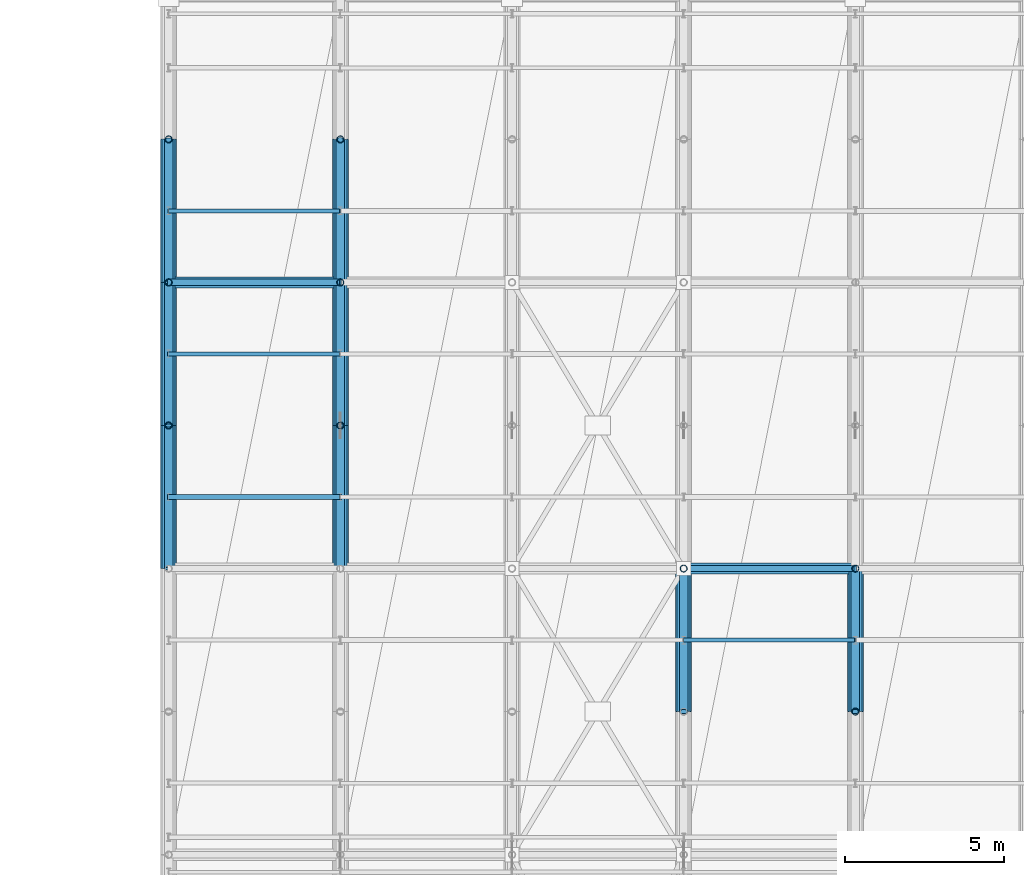
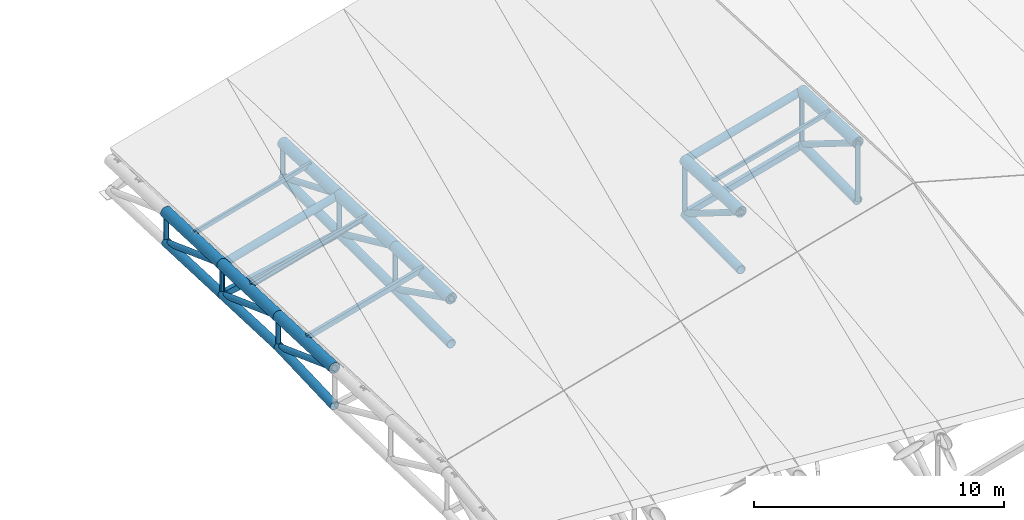
# One storey, part 14 of 109: 25 members, 16 beams.
"""IFC4 building model written with IfcOpenShell, lengths in metres."""

import ifcopenshell
import ifcopenshell.guid

model = None  # the IFC model being written
_history = None  # IfcOwnerHistory: only IFC2X3 demands one
_inside = {}  # id of a spatial element -> (the spatial element, [elements in it])
_under = {}  # id of a project, library or spatial element -> (it, [spatial elements below it])
_declared = {}  # id of a project -> (the project, [libraries it declares])
_typed = {}  # id of a type object -> (the type object, [elements of that type])
_made_of = {}  # id of a material, layer set ... -> (it, [elements and type objects made of it])


def new_model(schema):
    """Start an empty IFC model of exactly this schema.

    Asked for "IFC4X3", IfcOpenShell would pick the latest addendum, in which some entities
    have other attributes; the version numbers below select the first issue.
    IFC2X3 requires an IfcOwnerHistory on every rooted entity: one is made here for all.
    """
    global model, _history
    if schema == "IFC4X3":
        model = ifcopenshell.file(schema_version=(4, 3, 0, 0))
    else:
        model = ifcopenshell.file(schema=schema)
    _inside.clear()
    _under.clear()
    _declared.clear()
    _typed.clear()
    _made_of.clear()
    _history = None
    if model.schema == "IFC2X3":
        org = make("IfcOrganization", Name="unknown")
        user = make(
            "IfcPersonAndOrganization",
            ThePerson=make("IfcPerson", FamilyName="unknown"),
            TheOrganization=org,
        )
        app = make(
            "IfcApplication",
            ApplicationDeveloper=org,
            Version="unknown",
            ApplicationFullName="unknown",
            ApplicationIdentifier="unknown",
        )
        _history = make(
            "IfcOwnerHistory",
            OwningUser=user,
            OwningApplication=app,
            ChangeAction="ADDED",
            CreationDate=0,
        )
    return model


def make(cls, **values):
    """One entity of the class cls with the attributes given. An attribute that is None is left unset."""
    return model.create_entity(
        cls, **{name: value for name, value in values.items() if value is not None}
    )


def rooted(cls, **values):
    """An entity with a GlobalId (a new one), such as an element, a storey or a relation."""
    return make(cls, GlobalId=ifcopenshell.guid.new(), OwnerHistory=_history, **values)


def si_unit(unit_type, name, prefix=None):
    """IfcSIUnit, for example si_unit("LENGTHUNIT", "METRE", prefix="MILLI")."""
    return make("IfcSIUnit", UnitType=unit_type, Prefix=prefix, Name=name)


def assignment(units):
    """IfcUnitAssignment: the units of a project."""
    return None if units is None else make("IfcUnitAssignment", Units=units)


def point(xyz):
    """IfcCartesianPoint."""
    return None if xyz is None else make("IfcCartesianPoint", Coordinates=xyz)


def direction(xyz):
    """IfcDirection."""
    return None if xyz is None else make("IfcDirection", DirectionRatios=xyz)


def frame(location, z_axis=None, x_axis=None):
    """IfcAxis2Placement3D, a coordinate frame: its origin and axes. An axis left out is left unset."""
    return make(
        "IfcAxis2Placement3D",
        Location=point(location),
        Axis=direction(z_axis),
        RefDirection=direction(x_axis),
    )


def frame_2d(location, x_axis=None):
    """IfcAxis2Placement2D, a coordinate frame in the plane: its origin and x axis."""
    return make(
        "IfcAxis2Placement2D", Location=point(location), RefDirection=direction(x_axis)
    )


def origin():
    """The frame at (0, 0, 0) with its axes left unset."""
    return frame((0.0, 0.0, 0.0))


def origin_2d():
    """The frame at (0, 0) in the plane with its x axis left unset."""
    return frame_2d((0.0, 0.0))


def place(relative_to, where):
    """IfcLocalPlacement: puts the frame where relative to a parent placement (None: the world)."""
    return make(
        "IfcLocalPlacement", PlacementRelTo=relative_to, RelativePlacement=where
    )


def context(
    kind, dimensions, precision=None, world=None, true_north=None, identifier=None
):
    """IfcGeometricRepresentationContext, for example the 3D "Model" context."""
    return make(
        "IfcGeometricRepresentationContext",
        ContextIdentifier=identifier,
        ContextType=kind,
        CoordinateSpaceDimension=dimensions,
        Precision=precision,
        WorldCoordinateSystem=world,
        TrueNorth=true_north,
    )


def subcontext(parent, identifier, kind, view, scale=None):
    """IfcGeometricRepresentationSubContext, for example "Body" below "Model"."""
    return make(
        "IfcGeometricRepresentationSubContext",
        ContextIdentifier=identifier,
        ContextType=kind,
        ParentContext=parent,
        TargetScale=scale,
        TargetView=view,
    )


def project(units=None, contexts=None):
    """IfcProject with its units and contexts."""
    return rooted(
        "IfcProject",
        Name="project",
        RepresentationContexts=contexts,
        UnitsInContext=assignment(units),
    )


def spatial(cls, under=None, at=None, **own):
    """A site, building, storey or space (cls), placed at a placement, below another one or the project."""
    s = rooted(cls, ObjectPlacement=at, **own)
    if under is not None:
        _under.setdefault(under.id(), (under, []))[1].append(s)
    return s


def profile(cls, at=None, kind="AREA", **sizes):
    """A parametric profile (cls). Its sizes go by their IFC names, for example OverallWidth=200.0."""
    return make(cls, ProfileType=kind, Position=at, **sizes)


def hollow_rectangle(**sizes):
    """IfcRectangleHollowProfileDef."""
    return profile("IfcRectangleHollowProfileDef", **sizes)


def hollow_circle(**sizes):
    """IfcCircleHollowProfileDef."""
    return profile("IfcCircleHollowProfileDef", **sizes)


def i_section(**sizes):
    """IfcIShapeProfileDef."""
    return profile("IfcIShapeProfileDef", **sizes)


def extrude(swept, where, along, depth):
    """IfcExtrudedAreaSolid: the profile swept, set in the frame where, extruded along a direction by depth."""
    return make(
        "IfcExtrudedAreaSolid",
        SweptArea=swept,
        Position=where,
        ExtrudedDirection=direction(along),
        Depth=depth,
    )


def shape(context_of_items, identifier, shape_type, items):
    """IfcShapeRepresentation: the items that make up one representation, for example the "Body"."""
    return make(
        "IfcShapeRepresentation",
        ContextOfItems=context_of_items,
        RepresentationIdentifier=identifier,
        RepresentationType=shape_type,
        Items=items,
    )


def material(Name=None, Category=None):
    """IfcMaterial."""
    return make("IfcMaterial", Name=Name, Category=Category)


def material_profile(
    of_material, cross_section, Name=None, Category=None, Priority=None
):
    """IfcMaterialProfile: a cross section and its material."""
    return make(
        "IfcMaterialProfile",
        Name=Name,
        Material=of_material,
        Profile=cross_section,
        Priority=Priority,
        Category=Category,
    )


def profile_set(profiles, Name=None, composite=None):
    """IfcMaterialProfileSet."""
    return make(
        "IfcMaterialProfileSet",
        Name=Name,
        MaterialProfiles=profiles,
        CompositeProfile=composite,
    )


def made_of(thing, what):
    """Note that an element or type object is made of a material, layer set ...; save() writes the relation."""
    if what is not None:
        _made_of.setdefault(what.id(), (what, []))[1].append(thing)
    return thing


def type_object(cls, material=None, **own):
    """A type object (cls), such as IfcWallType, which elements share."""
    return made_of(rooted(cls, **own), material)


def element(
    cls,
    number,
    at=None,
    inside=None,
    cuts=None,
    type_object=None,
    material=None,
    context=None,
    identifier="Body",
    shape_type=None,
    held_by="IfcProductDefinitionShape",
    body=None,
    shapes=None,
    **own,
):
    """One element of the class cls, such as IfcWall. Its Tag is "e" and its number.

    at: its placement. inside: the storey or other place that contains it. cuts: it is an
    opening in that element (IfcRelVoidsElement). A single representation is given by context,
    identifier, shape_type and body (its items); several are given by shapes. held_by: the class
    of the entity that holds the representations. save() writes the other relations.
    """
    e = rooted(cls, Tag="e%d" % number, ObjectPlacement=at, **own)
    if body is not None:
        shapes = [shape(context, identifier, shape_type, body)]
    if shapes is not None:
        e.Representation = make(held_by, Representations=shapes)
    if inside is not None:
        _inside.setdefault(inside.id(), (inside, []))[1].append(e)
    if cuts is not None:
        rooted(
            "IfcRelVoidsElement", RelatingBuildingElement=cuts, RelatedOpeningElement=e
        )
    if type_object is not None:
        _typed.setdefault(type_object.id(), (type_object, []))[1].append(e)
    return made_of(e, material)


def aggregate(whole, parts):
    """IfcRelAggregates: a whole, such as a stair, and the parts it consists of."""
    return rooted("IfcRelAggregates", RelatingObject=whole, RelatedObjects=parts)


def save(model, path):
    """Write the relations noted so far, then the file.

    IfcRelAggregates (storeys below a building ...), IfcRelContainedInSpatialStructure (elements
    in a storey), IfcRelDefinesByType, IfcRelAssociatesMaterial and IfcRelDeclares: one each for
    every whole, place, type object, material and project.
    """
    for whole, parts in _under.values():
        aggregate(whole, parts)
    for where, things in _inside.values():
        rooted(
            "IfcRelContainedInSpatialStructure",
            RelatedElements=things,
            RelatingStructure=where,
        )
    for kind, things in _typed.values():
        rooted("IfcRelDefinesByType", RelatedObjects=things, RelatingType=kind)
    for what, things in _made_of.values():
        rooted("IfcRelAssociatesMaterial", RelatedObjects=things, RelatingMaterial=what)
    for by, libraries in _declared.values():
        rooted("IfcRelDeclares", RelatingContext=by, RelatedDefinitions=libraries)
    model.write(path)


model = new_model("IFC4")

# Units and contexts
model_context = context("Model", 3, precision=1e-05, world=origin(), true_north=direction((0.0, 1.0)))
body_context = subcontext(model_context, "Body", "Model", "MODEL_VIEW")
ifc_project = project(units=[si_unit("LENGTHUNIT", "METRE"), si_unit("AREAUNIT", "SQUARE_METRE"), si_unit("VOLUMEUNIT", "CUBIC_METRE"), si_unit("PLANEANGLEUNIT", "RADIAN"), si_unit("MASSUNIT", "GRAM", prefix="KILO")], contexts=[model_context])

# Site, building, storey
site_placement = place(None, origin())
site = spatial("IfcSite", under=ifc_project, at=site_placement, CompositionType="ELEMENT")
building_placement = place(site_placement, origin())
building = spatial("IfcBuilding", under=site, at=building_placement, Name="Suirenkawa Promenade Aquatics Centre", CompositionType="ELEMENT")
storey_placement = place(building_placement, frame((0.0, 0.0, 22.800048828125)))
storey = spatial("IfcBuildingStorey", under=building, at=storey_placement, Name="ROOF", CompositionType="ELEMENT", Elevation=22.800048828125)

# Beams
ifc_material = material(Name="Steel IS 2062 E350 (Grade 350)", Category="steel")
ifc_material_profile_1 = material_profile(ifc_material, hollow_circle(Radius=0.202880859375, WallThickness=0.01806640625, at=origin_2d()), Name="CHS 406x18", Category="steel")
ifc_profile_set_1 = profile_set([ifc_material_profile_1], Name="Steel IS 2062 E350 (Grade 350)")
beam_type_1 = type_object("IfcBeamType", Name="BT-BC-CHS406", PredefinedType="BEAM", material=ifc_profile_set_1)
for number, where, z_axis, x_axis, name in (
    (1, (46.800048828125, 104.39990234375, -11.4111328125), (0.0, 0.999190707649, 0.040223497454), (-1.0, 0.0, 0.0), "ROOF TRUSS V1 bottom chord BC-01 BM-1828"),
    (2, (46.800048828125, 108.89990234375, -11.22998046875), (0.0, 0.999173184279, -0.040656460949), (-1.0, 0.0, 0.0), "ROOF TRUSS V1 bottom chord BC-01 BM-1830"),
    (3, (46.800048828125, 113.39990234375, -11.4130859375), (0.0, 0.999164352475, -0.040872934124), (-1.0, 0.0, 0.0), "ROOF TRUSS V1 bottom chord BC-01 BM-1832"),
):
    element("IfcBeam", number, at=place(storey_placement, frame(where, z_axis=z_axis, x_axis=x_axis)), inside=storey, type_object=beam_type_1, Name=name, PredefinedType="BEAM", context=body_context, shape_type="SweptSolid", body=[
        extrude(hollow_circle(Radius=0.202880859375, WallThickness=0.01806640625, at=origin_2d()), origin(), (0.0, 0.0, 1.0), 4.503662109375),
    ])
for number, where, z_axis, x_axis, name in (
    (4, (52.199951171875, 104.39990234375, -10.281982421875), (0.0, 0.999983150708, -0.005805023716), (-1.0, 0.0, 0.0), "ROOF TRUSS V1 bottom chord BC-01 BM-1856"),
    (5, (52.199951171875, 108.89990234375, -10.30810546875), (0.0, 0.999999788072, -0.000651041529), (-1.0, 0.0, 0.0), "ROOF TRUSS V1 bottom chord BC-01 BM-1858"),
    (6, (52.199951171875, 113.39990234375, -10.31103515625), (0.0, 0.999997019781, 0.002441398974), (-1.0, 0.0, 0.0), "ROOF TRUSS V1 bottom chord BC-01 BM-1860"),
    (7, (63.0, 99.89990234375, -7.7099609375), (0.0, 0.999992993217, 0.003743463354), (-1.0, 0.0, 0.0), "ROOF TRUSS V1 bottom chord BC-01 BM-1910"),
    (8, (68.39990234375, 99.89990234375, -6.2099609375), (0.0, 0.999992993217, 0.003743463354), (-1.0, 0.0, 0.0), "ROOF TRUSS V1 bottom chord BC-01 BM-1938"),
):
    element("IfcBeam", number, at=place(storey_placement, frame(where, z_axis=z_axis, x_axis=x_axis)), inside=storey, type_object=beam_type_1, Name=name, PredefinedType="BEAM", context=body_context, shape_type="SweptSolid", body=[
        extrude(hollow_circle(Radius=0.202880859375, WallThickness=0.01806640625, at=origin_2d()), origin(), (0.0, 0.0, 1.0), 4.5),
    ])
ifc_material_profile_2 = material_profile(ifc_material, hollow_circle(Radius=0.25390625, WallThickness=0.02392578125, at=origin_2d()), Name="CHS 508x24", Category="steel")
ifc_profile_set_2 = profile_set([ifc_material_profile_2], Name="Steel IS 2062 E350 (Grade 350)")
beam_type_2 = type_object("IfcBeamType", Name="BT-TC-CHS508", PredefinedType="BEAM", material=ifc_profile_set_2)
for number, where, z_axis, x_axis, name in (
    (9, (46.800048828125, 104.39990234375, -9.567138671875), (0.0, 0.999175384927, -0.040602341759), (-1.0, 0.0, 0.0), "ROOF TRUSS V1 top chord TC-02 BM-1827"),
    (10, (46.800048828125, 108.89990234375, -9.75), (0.0, 0.999173184279, -0.040656460949), (-1.0, 0.0, 0.0), "ROOF TRUSS V1 top chord TC-02 BM-1829"),
    (11, (46.800048828125, 113.39990234375, -9.93310546875), (0.0, 0.999166564808, -0.040818816368), (-1.0, 0.0, 0.0), "ROOF TRUSS V1 top chord TC-02 BM-1831"),
    (12, (52.199951171875, 104.39990234375, -8.067138671875), (0.0, 0.999175384927, -0.040602341759), (-1.0, 0.0, 0.0), "ROOF TRUSS V1 top chord TC-02 BM-1855"),
    (13, (52.199951171875, 108.89990234375, -8.25), (0.0, 0.999173184279, -0.040656460949), (-1.0, 0.0, 0.0), "ROOF TRUSS V1 top chord TC-02 BM-1857"),
    (14, (52.199951171875, 113.39990234375, -8.43310546875), (0.0, 0.999166564808, -0.040818816368), (-1.0, 0.0, 0.0), "ROOF TRUSS V1 top chord TC-02 BM-1859"),
    (15, (63.0, 99.89990234375, -4.883056640625), (0.0, 0.999164352475, -0.040872934124), (-1.0, 0.0, 0.0), "ROOF TRUSS V1 top chord TC-02 BM-1909"),
    (16, (68.39990234375, 99.89990234375, -3.383056640625), (0.0, 0.999164352475, -0.040872934124), (-1.0, 0.0, 0.0), "ROOF TRUSS V1 top chord TC-02 BM-1937"),
):
    element("IfcBeam", number, at=place(storey_placement, frame(where, z_axis=z_axis, x_axis=x_axis)), inside=storey, type_object=beam_type_2, Name=name, PredefinedType="BEAM", context=body_context, shape_type="SweptSolid", body=[
        extrude(hollow_circle(Radius=0.25390625, WallThickness=0.02392578125, at=origin_2d()), origin(), (0.0, 0.0, 1.0), 4.503662109375),
    ])

# Members
ifc_material_profile_3 = material_profile(ifc_material, hollow_circle(Radius=0.177978515625, WallThickness=0.01611328125, at=origin_2d()), Name="CHS 356x16", Category="steel")
ifc_profile_set_3 = profile_set([ifc_material_profile_3], Name="Steel IS 2062 E350 (Grade 350)")
member_type_1 = type_object("IfcMemberType", Name="MT-CHORD-CHS356", PredefinedType="CHORD", material=ifc_profile_set_3)
for number, where, z_axis, x_axis, name in (
    (17, (63.0, 104.39990234375, -5.067138671875), (0.963516661409, 0.0, 0.267648357342), (0.0, 1.0, 0.0), "ROOF TRUSS V1 tie chord CH-02 MB-0854"),
    (18, (46.800048828125, 113.39990234375, -9.93310546875), (0.963516661409, 0.0, 0.267648357342), (0.0, 1.0, 0.0), "ROOF TRUSS V1 tie chord CH-02 MB-0888"),
):
    element("IfcMember", number, at=place(storey_placement, frame(where, z_axis=z_axis, x_axis=x_axis)), inside=storey, type_object=member_type_1, Name=name, PredefinedType="CHORD", context=body_context, shape_type="SweptSolid", body=[
        extrude(hollow_circle(Radius=0.177978515625, WallThickness=0.01611328125, at=origin_2d()), origin(), (0.0, 0.0, 1.0), 5.604248046875),
    ])
ifc_material_profile_4 = material_profile(ifc_material, hollow_rectangle(XDim=0.199951171875, YDim=0.300048828125, WallThickness=0.011962890625, at=origin_2d()), Name="RHS 300x200x12", Category="steel")
ifc_profile_set_4 = profile_set([ifc_material_profile_4], Name="Steel IS 2062 E350 (Grade 350)")
member_type_2 = type_object("IfcMemberType", Name="MT-CHORD-RHS300", PredefinedType="CHORD", material=ifc_profile_set_4)
member_1_placement = place(storey_placement, frame((63.0, 104.39990234375, -7.693115234375), z_axis=(0.963516661409, 0.0, 0.267648357342), x_axis=(0.0, 1.0, 0.0)))
element("IfcMember", 19, at=member_1_placement, inside=storey, type_object=member_type_2, Name="ROOF TRUSS V1 bottom tie CH-03 MB-0855", PredefinedType="CHORD", context=body_context, shape_type="SweptSolid", body=[
    extrude(hollow_rectangle(XDim=0.199951171875, YDim=0.300048828125, WallThickness=0.011962890625, at=origin_2d()), origin(), (0.0, 0.0, 1.0), 5.604248046875),
])
member_2_placement = place(storey_placement, frame((46.800048828125, 113.39990234375, -11.4130859375), z_axis=(0.979802996018, 0.0, 0.19996521946), x_axis=(0.0, 1.0, 0.0)))
element("IfcMember", 20, at=member_2_placement, inside=storey, type_object=member_type_2, Name="ROOF TRUSS V1 bottom tie CH-03 MB-0889", PredefinedType="CHORD", context=body_context, shape_type="SweptSolid", body=[
    extrude(hollow_rectangle(XDim=0.199951171875, YDim=0.300048828125, WallThickness=0.011962890625, at=origin_2d()), origin(), (0.0, 0.0, 1.0), 5.51123046875),
])
ifc_material_profile_5 = material_profile(ifc_material, i_section(OverallWidth=0.125, OverallDepth=0.25, WebThickness=0.007080078125, FlangeThickness=0.012939453125, at=origin_2d()), Name="ISMB 250", Category="steel")
ifc_profile_set_5 = profile_set([ifc_material_profile_5], Name="Steel IS 2062 E350 (Grade 350)")
member_type_3 = type_object("IfcMemberType", Name="MT-PURLIN-ISMB250", PredefinedType="PURLIN", material=ifc_profile_set_5)
member_3_placement = place(storey_placement, frame((46.800048828125, 111.14990234375, -9.613037109375), z_axis=(0.963516661409, 0.0, 0.267648357342), x_axis=(0.0, 1.0, 0.0)))
element("IfcMember", 21, at=member_3_placement, inside=storey, type_object=member_type_3, Name="ROOF TRUSS Roof purlin PU-04 MB-1711", PredefinedType="PURLIN", context=body_context, shape_type="SweptSolid", body=[
    extrude(i_section(OverallWidth=0.125, OverallDepth=0.25, WebThickness=0.007080078125, FlangeThickness=0.012939453125, at=origin_2d()), origin(), (0.0, 0.0, 1.0), 5.604248046875),
])
ifc_material_profile_6 = material_profile(ifc_material, hollow_rectangle(XDim=0.1201171875, YDim=0.199951171875, WallThickness=0.008056640625, at=origin_2d()), Name="RHS 200x120x8", Category="steel")
ifc_profile_set_6 = profile_set([ifc_material_profile_6], Name="Steel IS 2062 E350 (Grade 350)")
member_type_4 = type_object("IfcMemberType", Name="MT-PURLIN-RHS200", PredefinedType="PURLIN", material=ifc_profile_set_6)
for number, where, z_axis, x_axis, name in (
    (22, (46.800048828125, 115.64990234375, -9.77197265625), (0.963516661409, 0.0, 0.267648357342), (0.0, 1.0, 0.0), "ROOF TRUSS Roof purlin PU-02 MB-1714"),
    (23, (63.0, 102.14990234375, -4.72216796875), (0.963516661409, 0.0, 0.267648357342), (0.0, 1.0, 0.0), "ROOF TRUSS Roof purlin PU-02 MB-1819"),
):
    element("IfcMember", number, at=place(storey_placement, frame(where, z_axis=z_axis, x_axis=x_axis)), inside=storey, type_object=member_type_4, Name=name, PredefinedType="PURLIN", context=body_context, shape_type="SweptSolid", body=[
        extrude(hollow_rectangle(XDim=0.1201171875, YDim=0.199951171875, WallThickness=0.008056640625, at=origin_2d()), origin(), (0.0, 0.0, 1.0), 5.604248046875),
    ])
ifc_material_profile_7 = material_profile(ifc_material, hollow_rectangle(XDim=0.14990234375, YDim=0.25, WallThickness=0.010009765625, at=origin_2d()), Name="RHS 250x150x10", Category="steel")
ifc_profile_set_7 = profile_set([ifc_material_profile_7], Name="Steel IS 2062 E350 (Grade 350)")
member_type_5 = type_object("IfcMemberType", Name="MT-PURLIN-RHS250", PredefinedType="PURLIN", material=ifc_profile_set_7)
member_4_placement = place(storey_placement, frame((46.800048828125, 106.64990234375, -9.43115234375), z_axis=(0.963516661409, 0.0, 0.267648357342), x_axis=(0.0, 1.0, 0.0)))
element("IfcMember", 24, at=member_4_placement, inside=storey, type_object=member_type_5, Name="ROOF TRUSS Roof purlin PU-03 MB-1708", PredefinedType="PURLIN", context=body_context, shape_type="SweptSolid", body=[
    extrude(hollow_rectangle(XDim=0.14990234375, YDim=0.25, WallThickness=0.010009765625, at=origin_2d()), origin(), (0.0, 0.0, 1.0), 5.604248046875),
])
ifc_material_profile_8 = material_profile(ifc_material, hollow_circle(Radius=0.110107421875, WallThickness=0.010009765625, at=origin_2d()), Name="CHS 220x10", Category="steel")
ifc_profile_set_8 = profile_set([ifc_material_profile_8], Name="Steel IS 2062 E350 (Grade 350)")
member_type_6 = type_object("IfcMemberType", Name="MT-WEB-CHS220", PredefinedType="BRACE", material=ifc_profile_set_8)
for number, where, z_axis, x_axis, name in (
    (25, (46.800048828125, 108.89990234375, -11.22998046875), (0.0, 0.0, 1.0), (1.0, 0.0, 0.0), "ROOF TRUSS V1 web post TD-01 MB-0025"),
    (26, (46.800048828125, 113.39990234375, -11.4130859375), (0.0, 0.0, 1.0), (1.0, 0.0, 0.0), "ROOF TRUSS V1 web post TD-01 MB-0026"),
):
    element("IfcMember", number, at=place(storey_placement, frame(where, z_axis=z_axis, x_axis=x_axis)), inside=storey, type_object=member_type_6, Name=name, PredefinedType="BRACE", context=body_context, shape_type="SweptSolid", body=[
        extrude(hollow_circle(Radius=0.110107421875, WallThickness=0.010009765625, at=origin_2d()), origin(), (0.0, 0.0, 1.0), 1.47998046875),
    ])
member_5_placement = place(storey_placement, frame((46.800048828125, 117.89990234375, -11.59716796875), z_axis=(0.0, 0.0, 1.0), x_axis=(1.0, 0.0, 0.0)))
element("IfcMember", 27, at=member_5_placement, inside=storey, type_object=member_type_6, Name="ROOF TRUSS V1 web post TD-01 MB-0027", PredefinedType="BRACE", context=body_context, shape_type="SweptSolid", body=[
    extrude(hollow_circle(Radius=0.110107421875, WallThickness=0.010009765625, at=origin_2d()), origin(), (0.0, 0.0, 1.0), 1.480224609375),
])
member_6_placement = place(storey_placement, frame((52.199951171875, 108.89990234375, -10.30810546875), z_axis=(0.0, 0.0, 1.0), x_axis=(1.0, 0.0, 0.0)))
element("IfcMember", 28, at=member_6_placement, inside=storey, type_object=member_type_6, Name="ROOF TRUSS V1 web post TD-01 MB-0052", PredefinedType="BRACE", context=body_context, shape_type="SweptSolid", body=[
    extrude(hollow_circle(Radius=0.110107421875, WallThickness=0.010009765625, at=origin_2d()), origin(), (0.0, 0.0, 1.0), 2.05810546875),
])
member_7_placement = place(storey_placement, frame((52.199951171875, 113.39990234375, -10.31103515625), z_axis=(0.0, 0.0, 1.0), x_axis=(1.0, 0.0, 0.0)))
element("IfcMember", 29, at=member_7_placement, inside=storey, type_object=member_type_6, Name="ROOF TRUSS V1 web post TD-01 MB-0053", PredefinedType="BRACE", context=body_context, shape_type="SweptSolid", body=[
    extrude(hollow_circle(Radius=0.110107421875, WallThickness=0.010009765625, at=origin_2d()), origin(), (0.0, 0.0, 1.0), 1.8779296875),
])
member_8_placement = place(storey_placement, frame((52.199951171875, 117.89990234375, -10.300048828125), z_axis=(0.0, 0.0, 1.0), x_axis=(1.0, 0.0, 0.0)))
element("IfcMember", 30, at=member_8_placement, inside=storey, type_object=member_type_6, Name="ROOF TRUSS V1 web post TD-01 MB-0054", PredefinedType="BRACE", context=body_context, shape_type="SweptSolid", body=[
    extrude(hollow_circle(Radius=0.110107421875, WallThickness=0.010009765625, at=origin_2d()), origin(), (0.0, 0.0, 1.0), 1.68310546875),
])
member_9_placement = place(storey_placement, frame((63.0, 104.39990234375, -7.693115234375), z_axis=(0.0, 0.0, 1.0), x_axis=(1.0, 0.0, 0.0)))
element("IfcMember", 31, at=member_9_placement, inside=storey, type_object=member_type_6, Name="ROOF TRUSS V1 web post TD-01 MB-0105", PredefinedType="BRACE", context=body_context, shape_type="SweptSolid", body=[
    extrude(hollow_circle(Radius=0.110107421875, WallThickness=0.010009765625, at=origin_2d()), origin(), (0.0, 0.0, 1.0), 2.6259765625),
])
member_10_placement = place(storey_placement, frame((68.39990234375, 99.89990234375, -6.2099609375), z_axis=(0.0, 0.0, 1.0), x_axis=(1.0, 0.0, 0.0)))
element("IfcMember", 32, at=member_10_placement, inside=storey, type_object=member_type_6, Name="ROOF TRUSS V1 web post TD-01 MB-0131", PredefinedType="BRACE", context=body_context, shape_type="SweptSolid", body=[
    extrude(hollow_circle(Radius=0.110107421875, WallThickness=0.010009765625, at=origin_2d()), origin(), (0.0, 0.0, 1.0), 2.826904296875),
])
member_11_placement = place(storey_placement, frame((68.39990234375, 104.39990234375, -6.193115234375), z_axis=(0.0, 0.0, 1.0), x_axis=(1.0, 0.0, 0.0)))
element("IfcMember", 33, at=member_11_placement, inside=storey, type_object=member_type_6, Name="ROOF TRUSS V1 web post TD-01 MB-0132", PredefinedType="BRACE", context=body_context, shape_type="SweptSolid", body=[
    extrude(hollow_circle(Radius=0.110107421875, WallThickness=0.010009765625, at=origin_2d()), origin(), (0.0, 0.0, 1.0), 2.6259765625),
])
ifc_material_profile_9 = material_profile(ifc_material, hollow_circle(Radius=0.136962890625, WallThickness=0.011962890625, at=origin_2d()), Name="CHS 274x12", Category="steel")
ifc_profile_set_9 = profile_set([ifc_material_profile_9], Name="Steel IS 2062 E350 (Grade 350)")
member_type_7 = type_object("IfcMemberType", Name="MT-WEB-CHS274", PredefinedType="BRACE", material=ifc_profile_set_9)
for number, where, z_axis, x_axis, name in (
    (34, (46.800048828125, 104.39990234375, -9.567138671875), (0.0, 0.938008167567, -0.346613152631), (-1.0, 0.0, 0.0), "ROOF TRUSS V1 web diagonal TD-02 MB-0011"),
    (35, (46.800048828125, 108.89990234375, -9.75), (0.0, 0.937991621065, -0.346657927664), (-1.0, 0.0, 0.0), "ROOF TRUSS V1 web diagonal TD-02 MB-0012"),
):
    element("IfcMember", number, at=place(storey_placement, frame(where, z_axis=z_axis, x_axis=x_axis)), inside=storey, type_object=member_type_7, Name=name, PredefinedType="BRACE", context=body_context, shape_type="SweptSolid", body=[
        extrude(hollow_circle(Radius=0.136962890625, WallThickness=0.011962890625, at=origin_2d()), origin(), (0.0, 0.0, 1.0), 4.79736328125),
    ])
member_12_placement = place(storey_placement, frame((46.800048828125, 113.39990234375, -9.93310546875), z_axis=(0.0, 0.937925419525, -0.346837004095), x_axis=(-1.0, 0.0, 0.0)))
element("IfcMember", 36, at=member_12_placement, inside=storey, type_object=member_type_7, Name="ROOF TRUSS V1 web diagonal TD-02 MB-0013", PredefinedType="BRACE", context=body_context, shape_type="SweptSolid", body=[
    extrude(hollow_circle(Radius=0.136962890625, WallThickness=0.011962890625, at=origin_2d()), origin(), (0.0, 0.0, 1.0), 4.7978515625),
])
member_13_placement = place(storey_placement, frame((52.199951171875, 104.39990234375, -8.067138671875), z_axis=(0.0, 0.895144793573, -0.445775502399), x_axis=(-1.0, 0.0, 0.0)))
element("IfcMember", 37, at=member_13_placement, inside=storey, type_object=member_type_7, Name="ROOF TRUSS V1 web diagonal TD-02 MB-0038", PredefinedType="BRACE", context=body_context, shape_type="SweptSolid", body=[
    extrude(hollow_circle(Radius=0.136962890625, WallThickness=0.011962890625, at=origin_2d()), origin(), (0.0, 0.0, 1.0), 5.027099609375),
])
member_14_placement = place(storey_placement, frame((52.199951171875, 108.89990234375, -8.25), z_axis=(0.0, 0.909176888112, -0.4164101177), x_axis=(-1.0, 0.0, 0.0)))
element("IfcMember", 38, at=member_14_placement, inside=storey, type_object=member_type_7, Name="ROOF TRUSS V1 web diagonal TD-02 MB-0039", PredefinedType="BRACE", context=body_context, shape_type="SweptSolid", body=[
    extrude(hollow_circle(Radius=0.136962890625, WallThickness=0.011962890625, at=origin_2d()), origin(), (0.0, 0.0, 1.0), 4.949462890625),
])
member_15_placement = place(storey_placement, frame((52.199951171875, 113.39990234375, -8.43310546875), z_axis=(0.0, 0.923662957717, -0.383205872269), x_axis=(-1.0, 0.0, 0.0)))
element("IfcMember", 39, at=member_15_placement, inside=storey, type_object=member_type_7, Name="ROOF TRUSS V1 web diagonal TD-02 MB-0040", PredefinedType="BRACE", context=body_context, shape_type="SweptSolid", body=[
    extrude(hollow_circle(Radius=0.136962890625, WallThickness=0.011962890625, at=origin_2d()), origin(), (0.0, 0.0, 1.0), 4.871826171875),
])
for number, where, z_axis, x_axis, name in (
    (40, (63.0, 99.89990234375, -4.883056640625), (0.0, 0.848205062223, -0.529667983192), (-1.0, 0.0, 0.0), "ROOF TRUSS V1 web diagonal TD-02 MB-0091"),
    (41, (68.39990234375, 99.89990234375, -3.383056640625), (0.0, 0.848205062223, -0.529667983192), (-1.0, 0.0, 0.0), "ROOF TRUSS V1 web diagonal TD-02 MB-0118"),
):
    element("IfcMember", number, at=place(storey_placement, frame(where, z_axis=z_axis, x_axis=x_axis)), inside=storey, type_object=member_type_7, Name=name, PredefinedType="BRACE", context=body_context, shape_type="SweptSolid", body=[
        extrude(hollow_circle(Radius=0.136962890625, WallThickness=0.011962890625, at=origin_2d()), origin(), (0.0, 0.0, 1.0), 5.305419921875),
    ])

save(model, "model.ifc")
